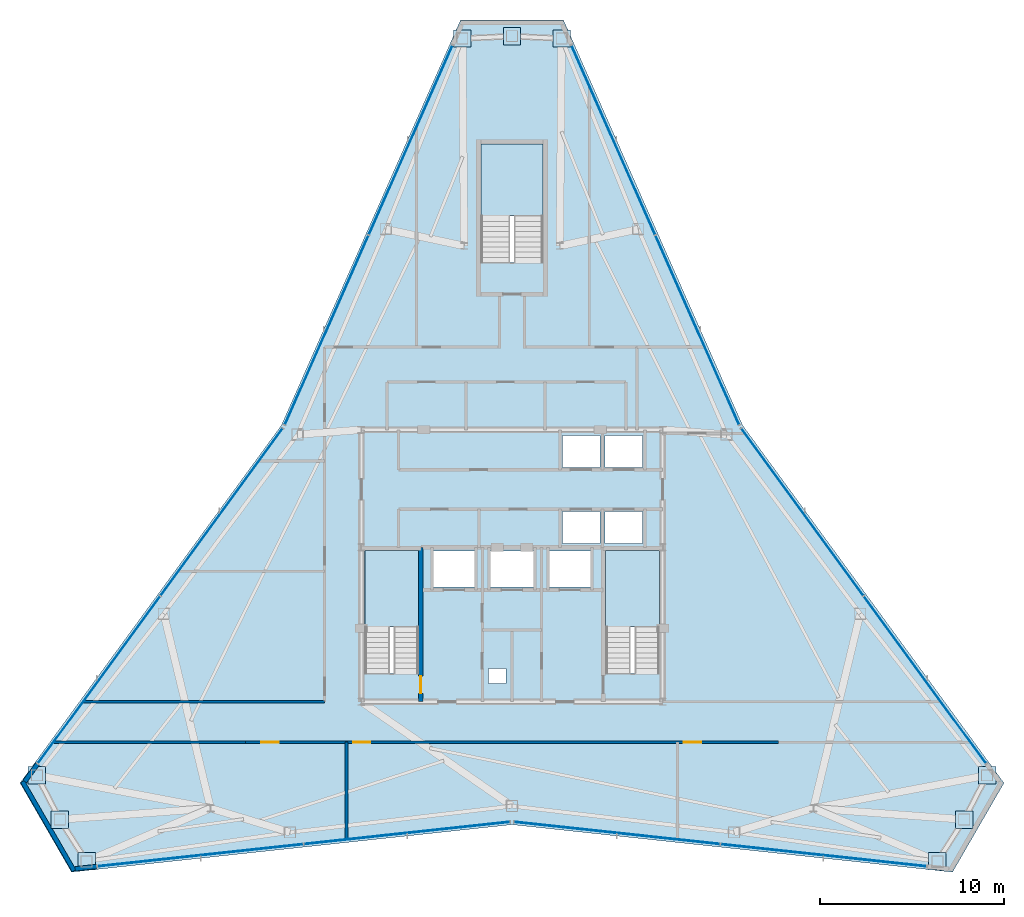
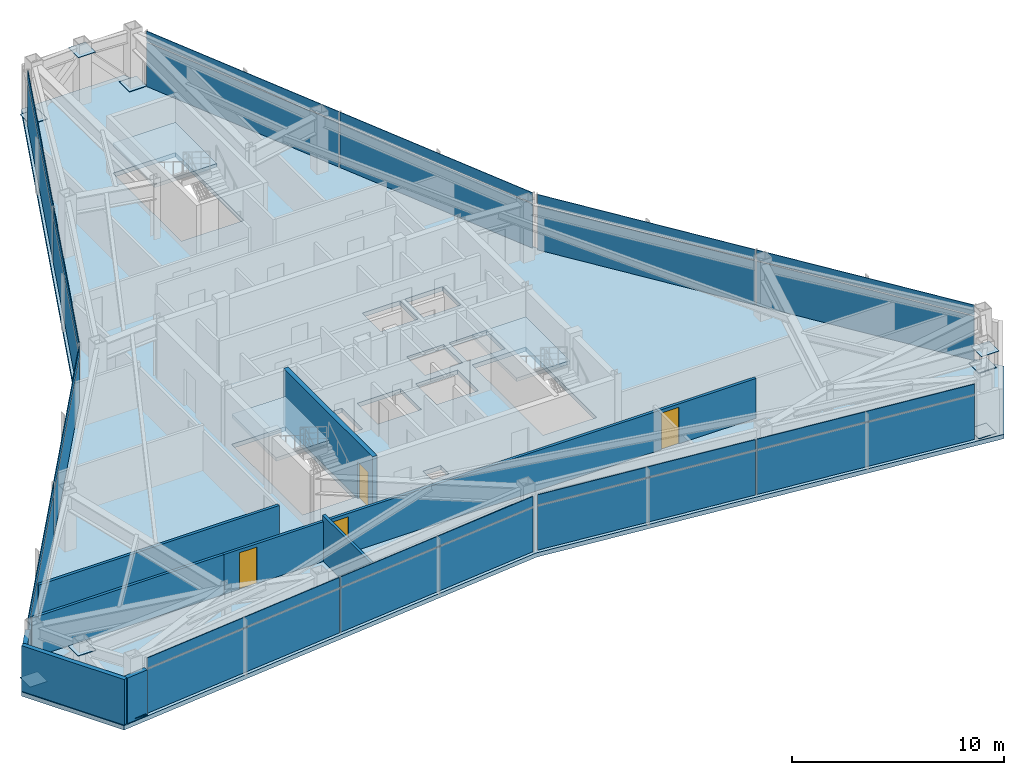
# One storey, part 8 of 12: 33 plates, 8 walls, 4 doors, 4 slabs, 4 openings, 9 elements without a shape of their own.
"""IFC4 building model written with IfcOpenShell, lengths in metres."""

from ifc_helpers import new_model, si_unit, direction, frame, frame_2d, origin, origin_2d, place, context, subcontext, project, spatial, polyline, rectangle, outline, extrude, source, transform, mapped, material, layer, layer_set, type_object, type_shapes, element, fill, aggregate, save


model = new_model("IFC4")

# Units and contexts
model_context = context("Model", 3, precision=1e-05, world=origin(), true_north=direction((0.0, 1.0)))
body_context = subcontext(model_context, "Body", "Model", "MODEL_VIEW")
ifc_project = project(units=[si_unit("LENGTHUNIT", "METRE"), si_unit("AREAUNIT", "SQUARE_METRE"), si_unit("VOLUMEUNIT", "CUBIC_METRE"), si_unit("PLANEANGLEUNIT", "RADIAN"), si_unit("MASSUNIT", "GRAM", prefix="KILO")], contexts=[model_context])

# Site, building, storey
site_placement = place(None, origin())
site = spatial("IfcSite", under=ifc_project, at=site_placement, CompositionType="ELEMENT")
building_placement = place(site_placement, origin())
building = spatial("IfcBuilding", under=site, at=building_placement, Name="Varakhsha Concourse Tower", CompositionType="ELEMENT")
storey_placement = place(building_placement, frame((0.0, 0.0, 269.0)))
storey = spatial("IfcBuildingStorey", under=building, at=storey_placement, Name="L76", CompositionType="ELEMENT", Elevation=269.0)

# Slab
ifc_material_1 = material(Name="Concrete fc 45 MPa", Category="concrete")
ifc_layer_1 = layer(ifc_material_1, 0.25, Name="SL-FLR-250")
ifc_layer_set_1 = layer_set([ifc_layer_1], Name="Concrete fc 45 MPa")
slab_type_1 = type_object("IfcSlabType", Name="SL-FLR-250", PredefinedType="FLOOR", material=ifc_layer_set_1)
slab_1_placement = place(storey_placement, frame((0.0, 0.0, -0.25)))
element("IfcSlab", 1, at=slab_1_placement, inside=storey, type_object=slab_type_1, Name="L76 Composite Structural Slab", PredefinedType="FLOOR", context=body_context, shape_type="SweptSolid", body=[
    extrude(outline(polyline([(42.800048828125, 53.4970703125), (37.199951171875, 53.4970703125), (27.45263671875, 31.444091796875), (13.22802734375, 11.976318359375), (16.028076171875, 7.126708984375), (40.0, 9.711669921875), (63.971923828125, 7.126708984375), (66.77197265625, 11.976318359375), (52.54736328125, 31.444091796875), (42.800048828125, 53.4970703125)]), holes=[polyline([(34.919921875, 17.93994140625), (34.919921875, 24.6298828125), (32.0, 24.6298828125), (32.0, 17.93994140625), (34.919921875, 17.93994140625)]), polyline([(48.02001953125, 17.93994140625), (48.02001953125, 24.6298828125), (45.10009765625, 24.6298828125), (45.10009765625, 17.93994140625), (48.02001953125, 17.93994140625)]), polyline([(41.699951171875, 40.300048828125), (41.699951171875, 46.75), (38.300048828125, 46.75), (38.300048828125, 40.300048828125), (41.699951171875, 40.300048828125)]), polyline([(42.739990234375, 29.159912109375), (44.780029296875, 29.159912109375), (44.780029296875, 30.89990234375), (42.739990234375, 30.89990234375), (42.739990234375, 29.159912109375)]), polyline([(45.06005859375, 29.159912109375), (47.10009765625, 29.159912109375), (47.10009765625, 30.89990234375), (45.06005859375, 30.89990234375), (45.06005859375, 29.159912109375)]), polyline([(42.739990234375, 25.0), (44.780029296875, 25.0), (44.780029296875, 26.739990234375), (42.739990234375, 26.739990234375), (42.739990234375, 25.0)]), polyline([(45.06005859375, 25.0), (47.10009765625, 25.0), (47.10009765625, 26.739990234375), (45.06005859375, 26.739990234375), (45.06005859375, 25.0)]), polyline([(35.7099609375, 22.639892578125), (37.989990234375, 22.639892578125), (37.989990234375, 24.60009765625), (35.7099609375, 24.60009765625), (35.7099609375, 22.639892578125)]), polyline([(42.010009765625, 22.639892578125), (44.2900390625, 22.639892578125), (44.2900390625, 24.60009765625), (42.010009765625, 24.60009765625), (42.010009765625, 22.639892578125)]), polyline([(38.81005859375, 22.639892578125), (41.18994140625, 22.639892578125), (41.18994140625, 24.60009765625), (38.81005859375, 24.60009765625), (38.81005859375, 22.639892578125)]), polyline([(38.719970703125, 17.39990234375), (39.679931640625, 17.39990234375), (39.679931640625, 18.199951171875), (38.719970703125, 18.199951171875), (38.719970703125, 17.39990234375)])]), origin(), (0.0, 0.0, 1.0), 0.25),
])

# Stair, slab
stair_type_1 = type_object("IfcStairType", Name="ST-DOGLEG-1360", PredefinedType="HALF_TURN_STAIR", material=ifc_material_1)
stair_1_placement = place(storey_placement, origin())
stair_1 = element("IfcStair", 2, at=stair_1_placement, inside=storey, type_object=stair_type_1, Name="L76 Protected Exit Stair ST1", PredefinedType="HALF_TURN_STAIR")
ifc_layer_2 = layer(ifc_material_1, 0.199951171875, Name="SL-LAND-200")
ifc_layer_set_2 = layer_set([ifc_layer_2], Name="Concrete fc 45 MPa")
slab_type_2 = type_object("IfcSlabType", Name="SL-LAND-200", PredefinedType="LANDING", material=ifc_layer_set_2)
slab_2_placement = place(storey_placement, frame((0.0, 0.0, 1.550048828125)))
slab_2 = element("IfcSlab", 3, at=slab_2_placement, type_object=slab_type_2, Name="ST1 landing 1", PredefinedType="LANDING", context=body_context, shape_type="SweptSolid", body=[
    extrude(outline(polyline([(34.919921875, 20.4599609375), (34.919921875, 24.6298828125), (32.0, 24.6298828125), (32.0, 20.4599609375), (34.919921875, 20.4599609375)])), origin(), (0.0, 0.0, 1.0), 0.199951171875),
])
aggregate(stair_1, [slab_2])

stair_2_placement = place(storey_placement, origin())
stair_2 = element("IfcStair", 4, at=stair_2_placement, inside=storey, type_object=stair_type_1, Name="L76 Protected Exit Stair ST2", PredefinedType="HALF_TURN_STAIR")
slab_3_placement = place(storey_placement, frame((0.0, 0.0, 1.550048828125)))
slab_3 = element("IfcSlab", 5, at=slab_3_placement, type_object=slab_type_2, Name="ST2 landing 1", PredefinedType="LANDING", context=body_context, shape_type="SweptSolid", body=[
    extrude(outline(polyline([(48.02001953125, 20.4599609375), (48.02001953125, 24.6298828125), (45.10009765625, 24.6298828125), (45.10009765625, 20.4599609375), (48.02001953125, 20.4599609375)])), origin(), (0.0, 0.0, 1.0), 0.199951171875),
])
aggregate(stair_2, [slab_3])

stair_type_2 = type_object("IfcStairType", Name="ST-DOGLEG-1600", PredefinedType="HALF_TURN_STAIR", material=ifc_material_1)
stair_3_placement = place(storey_placement, origin())
stair_3 = element("IfcStair", 6, at=stair_3_placement, inside=storey, type_object=stair_type_2, Name="L76 Protected Exit Stair ST5", PredefinedType="HALF_TURN_STAIR")
slab_4_placement = place(storey_placement, frame((0.0, 0.0, 1.550048828125)))
slab_4 = element("IfcSlab", 7, at=slab_4_placement, type_object=slab_type_2, Name="ST5 landing 1", PredefinedType="LANDING", context=body_context, shape_type="SweptSolid", body=[
    extrude(outline(polyline([(41.699951171875, 42.820068359375), (41.699951171875, 46.75), (38.300048828125, 46.75), (38.300048828125, 42.820068359375), (41.699951171875, 42.820068359375)])), origin(), (0.0, 0.0, 1.0), 0.199951171875),
])
aggregate(stair_3, [slab_4])

# Plates
ifc_material_2 = material(Name="Structural Steel ASTM A572 Grade 50", Category="steel")
ifc_layer_3 = layer(ifc_material_2, 0.030029296875, Name="PL-ENDCAP-950")
ifc_layer_set_3 = layer_set([ifc_layer_3], Name="Structural Steel ASTM A572 Grade 50")
plate_type_1 = type_object("IfcPlateType", Name="PL-ENDCAP-950", PredefinedType="USERDEFINED", material=ifc_layer_set_3)
shared_shape_1 = source(origin(), body_context, "Body", "SweptSolid", [
    extrude(rectangle(XDim=0.949951171875, YDim=0.949951171875, at=origin_2d()), origin(), (0.0, 0.0, 1.0), 0.030029296875),
])
type_shapes(plate_type_1, [shared_shape_1])
for number, where, z_axis, x_axis, name in (
    (8, (42.70361328125, 52.489501953125, 0.10498046875), (0.0, 0.0, 1.0), (1.0, 0.0, 0.0), "Hollow Section End Cap GP-NODE-L76-0808"),
    (9, (40.0, 52.616943359375, 2.93505859375), (0.0, 0.0, 1.0), (1.0, 0.0, 0.0), "Hollow Section End Cap GP-NODE-L76-0809"),
    (10, (37.29638671875, 52.489501953125, 0.10498046875), (0.0, 0.0, 1.0), (1.0, 0.0, 0.0), "Hollow Section End Cap GP-NODE-L76-0810"),
    (11, (14.148681640625, 12.396728515625, 0.10498046875), (0.0, 0.0, 1.0), (1.0, 0.0, 0.0), "Hollow Section End Cap GP-NODE-L76-0811"),
    (12, (15.39013671875, 9.991455078125, 2.93505859375), (0.0, 0.0, 1.0), (1.0, 0.0, 0.0), "Hollow Section End Cap GP-NODE-L76-0812"),
    (13, (16.852294921875, 7.713623046875, 0.10498046875), (0.0, 0.0, 1.0), (1.0, 0.0, 0.0), "Hollow Section End Cap GP-NODE-L76-0813"),
    (14, (63.147705078125, 7.713623046875, 0.10498046875), (0.0, 0.0, 1.0), (1.0, 0.0, 0.0), "Hollow Section End Cap GP-NODE-L76-0814"),
    (15, (64.60986328125, 9.991455078125, 2.93505859375), (0.0, 0.0, 1.0), (1.0, 0.0, 0.0), "Hollow Section End Cap GP-NODE-L76-0815"),
    (16, (65.851318359375, 12.396728515625, 0.10498046875), (0.0, 0.0, 1.0), (1.0, 0.0, 0.0), "Hollow Section End Cap GP-NODE-L76-0816"),
):
    element("IfcPlate", number, at=place(storey_placement, frame(where, z_axis=z_axis, x_axis=x_axis)), inside=storey, type_object=plate_type_1, Name=name, ObjectType="END PLATE", PredefinedType="USERDEFINED", context=body_context, shape_type="MappedRepresentation", body=[
        mapped(shared_shape_1, transform((0.0, 0.0, 0.0), scale=1.0)),
    ])

# Curtain wall, plate
ifc_material_3 = material(Name="Anodised Bronze Architectural Aluminium AA 6063-T6", Category="aluminium")
ifc_layer_4 = layer(ifc_material_3, 0.199951171875, Name="CW-SYS-05")
ifc_layer_set_4 = layer_set([ifc_layer_4], Name="Anodised Bronze Architectural Aluminium AA 6063-T6")
curtain_wall_type = type_object("IfcCurtainWallType", Name="CW-SYS-05", PredefinedType="NOTDEFINED", material=ifc_layer_set_4)
curtain_wall_1_placement = place(storey_placement, origin())
curtain_wall_1 = element("IfcCurtainWall", 17, at=curtain_wall_1_placement, inside=storey, type_object=curtain_wall_type, Name="L76 Crystal Curtain Wall F2", PredefinedType="NOTDEFINED")
ifc_material_4 = material(Name="Low-E Triple Insulating Glass IGU 44 mm", Category="glass")
ifc_layer_5 = layer(ifc_material_4, 0.0439453125, Name="CWP-IGU-44")
ifc_layer_set_5 = layer_set([ifc_layer_5], Name="Low-E Triple Insulating Glass IGU 44 mm")
plate_type_2 = type_object("IfcPlateType", Name="CWP-IGU-44", PredefinedType="CURTAIN_PANEL", material=ifc_layer_set_5)
shared_shape_2 = source(origin(), body_context, "Body", "SweptSolid", [
    extrude(rectangle(XDim=11.236572265625, YDim=0.0439453125, at=origin_2d()), origin(), (0.0, 0.0, 1.0), 2.535888671875),
])
plate_1_placement = place(storey_placement, frame((29.91650390625, 36.622802734375, 0.0322265625), z_axis=(0.0, 0.0, 1.0), x_axis=(0.404273357549, 0.914638208461, 0.0)))
plate_1 = element("IfcPlate", 18, at=plate_1_placement, type_object=plate_type_2, Name="CW-L76-F2 Panel 00-00", PredefinedType="CURTAIN_PANEL", context=body_context, shape_type="MappedRepresentation", body=[
    mapped(shared_shape_2, transform((0.0, 0.0, 0.0), scale=1.0)),
])

curtain_wall_2_placement = place(storey_placement, origin())
curtain_wall_2 = element("IfcCurtainWall", 19, at=curtain_wall_2_placement, inside=storey, type_object=curtain_wall_type, Name="L76 Crystal Curtain Wall F9", PredefinedType="NOTDEFINED")
plate_2_placement = place(storey_placement, frame((45.512939453125, 46.96337890625, 0.0322265625), z_axis=(0.0, 0.0, 1.0), x_axis=(0.404273357549, -0.914638208461, 0.0)))
plate_2 = element("IfcPlate", 20, at=plate_2_placement, type_object=plate_type_2, Name="CW-L76-F9 Panel 00-00", PredefinedType="CURTAIN_PANEL", context=body_context, shape_type="MappedRepresentation", body=[
    mapped(shared_shape_2, transform((0.0, 0.0, 0.0), scale=1.0)),
])

# Plate
ifc_material_5 = material(Name="Insulated Anodised Bronze Aluminium Spandrel 36 mm", Category="aluminium")
ifc_layer_6 = layer(ifc_material_5, 0.035888671875, Name="CWP-SPN-36")
ifc_layer_set_6 = layer_set([ifc_layer_6], Name="Insulated Anodised Bronze Aluminium Spandrel 36 mm")
plate_type_3 = type_object("IfcPlateType", Name="CWP-SPN-36", PredefinedType="USERDEFINED", material=ifc_layer_set_6)
shared_shape_3 = source(origin(), body_context, "Body", "SweptSolid", [
    extrude(rectangle(XDim=11.236572265625, YDim=0.035888671875, at=origin_2d()), origin(), (0.0, 0.0, 1.0), 0.5859375),
])
plate_3_placement = place(storey_placement, frame((29.91650390625, 36.622802734375, 2.632080078125), z_axis=(0.0, 0.0, 1.0), x_axis=(0.404273357549, 0.914638208461, 0.0)))
plate_3 = element("IfcPlate", 21, at=plate_3_placement, type_object=plate_type_3, Name="CW-L76-F2 Panel 00-01", ObjectType="SPANDREL", PredefinedType="USERDEFINED", context=body_context, shape_type="MappedRepresentation", body=[
    mapped(shared_shape_3, transform((0.0, 0.0, 0.0), scale=1.0)),
])

plate_4_placement = place(storey_placement, frame((45.512939453125, 46.96337890625, 2.632080078125), z_axis=(0.0, 0.0, 1.0), x_axis=(0.404273357549, -0.914638208461, 0.0)))
plate_4 = element("IfcPlate", 22, at=plate_4_placement, type_object=plate_type_3, Name="CW-L76-F9 Panel 00-01", ObjectType="SPANDREL", PredefinedType="USERDEFINED", context=body_context, shape_type="MappedRepresentation", body=[
    mapped(shared_shape_3, transform((0.0, 0.0, 0.0), scale=1.0)),
])

shared_shape_4 = source(origin(), body_context, "Body", "SweptSolid", [
    extrude(rectangle(XDim=11.236328125, YDim=0.0439453125, at=origin_2d()), origin(), (0.0, 0.0, 1.0), 2.535888671875),
])
type_shapes(plate_type_2, [shared_shape_2, shared_shape_4])
plate_5_placement = place(storey_placement, frame((34.487060546875, 46.96337890625, 0.0322265625), z_axis=(0.0, 0.0, 1.0), x_axis=(0.404273357549, 0.914638208461, 0.0)))
plate_5 = element("IfcPlate", 23, at=plate_5_placement, type_object=plate_type_2, Name="CW-L76-F2 Panel 01-00", PredefinedType="CURTAIN_PANEL", context=body_context, shape_type="MappedRepresentation", body=[
    mapped(shared_shape_4, transform((0.0, 0.0, 0.0), scale=1.0)),
])

# Curtain wall, plates
curtain_wall_3_placement = place(storey_placement, origin())
curtain_wall_3 = element("IfcCurtainWall", 24, at=curtain_wall_3_placement, inside=storey, type_object=curtain_wall_type, Name="L76 Crystal Curtain Wall F3", PredefinedType="NOTDEFINED")
plate_6_placement = place(storey_placement, frame((17.530029296875, 17.5927734375, 0.0322265625), z_axis=(0.0, 0.0, 1.0), x_axis=(0.589960426558, 0.807432161296, 0.0)))
plate_6 = element("IfcPlate", 25, at=plate_6_placement, type_object=plate_type_2, Name="CW-L76-F3 Panel 00-00", PredefinedType="CURTAIN_PANEL", context=body_context, shape_type="MappedRepresentation", body=[
    mapped(shared_shape_4, transform((0.0, 0.0, 0.0), scale=1.0)),
])
plate_7_placement = place(storey_placement, frame((24.19970703125, 26.720947265625, 0.0322265625), z_axis=(0.0, 0.0, 1.0), x_axis=(0.589960426558, 0.807432161296, 0.0)))
plate_7 = element("IfcPlate", 26, at=plate_7_placement, type_object=plate_type_2, Name="CW-L76-F3 Panel 01-00", PredefinedType="CURTAIN_PANEL", context=body_context, shape_type="MappedRepresentation", body=[
    mapped(shared_shape_4, transform((0.0, 0.0, 0.0), scale=1.0)),
])

curtain_wall_4_placement = place(storey_placement, origin())
curtain_wall_4 = element("IfcCurtainWall", 27, at=curtain_wall_4_placement, inside=storey, type_object=curtain_wall_type, Name="L76 Crystal Curtain Wall F5", PredefinedType="NOTDEFINED")
plate_8_placement = place(storey_placement, frame((34.283203125, 9.256103515625, 0.0322265625), z_axis=(0.0, 0.0, 1.0), x_axis=(-0.994236415458, -0.10720984179, 0.0)))
plate_8 = element("IfcPlate", 28, at=plate_8_placement, type_object=plate_type_2, Name="CW-L76-F5 Panel 00-00", PredefinedType="CURTAIN_PANEL", context=body_context, shape_type="MappedRepresentation", body=[
    mapped(shared_shape_4, transform((0.0, 0.0, 0.0), scale=1.0)),
])
plate_9_placement = place(storey_placement, frame((23.04296875, 8.0439453125, 0.0322265625), z_axis=(0.0, 0.0, 1.0), x_axis=(-0.994236415458, -0.10720984179, 0.0)))
plate_9 = element("IfcPlate", 29, at=plate_9_placement, type_object=plate_type_2, Name="CW-L76-F5 Panel 01-00", PredefinedType="CURTAIN_PANEL", context=body_context, shape_type="MappedRepresentation", body=[
    mapped(shared_shape_4, transform((0.0, 0.0, 0.0), scale=1.0)),
])

curtain_wall_5_placement = place(storey_placement, origin())
curtain_wall_5 = element("IfcCurtainWall", 30, at=curtain_wall_5_placement, inside=storey, type_object=curtain_wall_type, Name="L76 Crystal Curtain Wall F6", PredefinedType="NOTDEFINED")
plate_10_placement = place(storey_placement, frame((56.95703125, 8.0439453125, 0.0322265625), z_axis=(0.0, 0.0, 1.0), x_axis=(-0.994236415458, 0.10720984179, 0.0)))
plate_10 = element("IfcPlate", 31, at=plate_10_placement, type_object=plate_type_2, Name="CW-L76-F6 Panel 00-00", PredefinedType="CURTAIN_PANEL", context=body_context, shape_type="MappedRepresentation", body=[
    mapped(shared_shape_4, transform((0.0, 0.0, 0.0), scale=1.0)),
])
plate_11_placement = place(storey_placement, frame((45.716796875, 9.256103515625, 0.0322265625), z_axis=(0.0, 0.0, 1.0), x_axis=(-0.994236415458, 0.10720984179, 0.0)))
plate_11 = element("IfcPlate", 32, at=plate_11_placement, type_object=plate_type_2, Name="CW-L76-F6 Panel 01-00", PredefinedType="CURTAIN_PANEL", context=body_context, shape_type="MappedRepresentation", body=[
    mapped(shared_shape_4, transform((0.0, 0.0, 0.0), scale=1.0)),
])

curtain_wall_6_placement = place(storey_placement, origin())
curtain_wall_6 = element("IfcCurtainWall", 33, at=curtain_wall_6_placement, inside=storey, type_object=curtain_wall_type, Name="L76 Crystal Curtain Wall F8", PredefinedType="NOTDEFINED")
plate_12_placement = place(storey_placement, frame((55.80029296875, 26.720947265625, 0.0322265625), z_axis=(0.0, 0.0, 1.0), x_axis=(0.589960426558, -0.807432161296, 0.0)))
plate_12 = element("IfcPlate", 34, at=plate_12_placement, type_object=plate_type_2, Name="CW-L76-F8 Panel 00-00", PredefinedType="CURTAIN_PANEL", context=body_context, shape_type="MappedRepresentation", body=[
    mapped(shared_shape_4, transform((0.0, 0.0, 0.0), scale=1.0)),
])
plate_13_placement = place(storey_placement, frame((62.469970703125, 17.5927734375, 0.0322265625), z_axis=(0.0, 0.0, 1.0), x_axis=(0.589960426558, -0.807432161296, 0.0)))
plate_13 = element("IfcPlate", 35, at=plate_13_placement, type_object=plate_type_2, Name="CW-L76-F8 Panel 01-00", PredefinedType="CURTAIN_PANEL", context=body_context, shape_type="MappedRepresentation", body=[
    mapped(shared_shape_4, transform((0.0, 0.0, 0.0), scale=1.0)),
])

# Plate
plate_14_placement = place(storey_placement, frame((50.08349609375, 36.622802734375, 0.0322265625), z_axis=(0.0, 0.0, 1.0), x_axis=(0.404273357549, -0.914638208461, 0.0)))
plate_14 = element("IfcPlate", 36, at=plate_14_placement, type_object=plate_type_2, Name="CW-L76-F9 Panel 01-00", PredefinedType="CURTAIN_PANEL", context=body_context, shape_type="MappedRepresentation", body=[
    mapped(shared_shape_4, transform((0.0, 0.0, 0.0), scale=1.0)),
])

shared_shape_5 = source(origin(), body_context, "Body", "SweptSolid", [
    extrude(rectangle(XDim=11.236328125, YDim=0.035888671875, at=origin_2d()), origin(), (0.0, 0.0, 1.0), 0.5859375),
])
type_shapes(plate_type_3, [shared_shape_3, shared_shape_5])
plate_15_placement = place(storey_placement, frame((34.487060546875, 46.96337890625, 2.632080078125), z_axis=(0.0, 0.0, 1.0), x_axis=(0.404273357549, 0.914638208461, 0.0)))
plate_15 = element("IfcPlate", 37, at=plate_15_placement, type_object=plate_type_3, Name="CW-L76-F2 Panel 01-01", ObjectType="SPANDREL", PredefinedType="USERDEFINED", context=body_context, shape_type="MappedRepresentation", body=[
    mapped(shared_shape_5, transform((0.0, 0.0, 0.0), scale=1.0)),
])

aggregate(curtain_wall_1, [plate_1, plate_3, plate_5, plate_15])

plate_16_placement = place(storey_placement, frame((17.530029296875, 17.5927734375, 2.632080078125), z_axis=(0.0, 0.0, 1.0), x_axis=(0.589960426558, 0.807432161296, 0.0)))
plate_16 = element("IfcPlate", 38, at=plate_16_placement, type_object=plate_type_3, Name="CW-L76-F3 Panel 00-01", ObjectType="SPANDREL", PredefinedType="USERDEFINED", context=body_context, shape_type="MappedRepresentation", body=[
    mapped(shared_shape_5, transform((0.0, 0.0, 0.0), scale=1.0)),
])

plate_17_placement = place(storey_placement, frame((24.19970703125, 26.720947265625, 2.632080078125), z_axis=(0.0, 0.0, 1.0), x_axis=(0.589960426558, 0.807432161296, 0.0)))
plate_17 = element("IfcPlate", 39, at=plate_17_placement, type_object=plate_type_3, Name="CW-L76-F3 Panel 01-01", ObjectType="SPANDREL", PredefinedType="USERDEFINED", context=body_context, shape_type="MappedRepresentation", body=[
    mapped(shared_shape_5, transform((0.0, 0.0, 0.0), scale=1.0)),
])

aggregate(curtain_wall_3, [plate_6, plate_16, plate_7, plate_17])

plate_18_placement = place(storey_placement, frame((34.283203125, 9.256103515625, 2.632080078125), z_axis=(0.0, 0.0, 1.0), x_axis=(-0.994236415458, -0.10720984179, 0.0)))
plate_18 = element("IfcPlate", 40, at=plate_18_placement, type_object=plate_type_3, Name="CW-L76-F5 Panel 00-01", ObjectType="SPANDREL", PredefinedType="USERDEFINED", context=body_context, shape_type="MappedRepresentation", body=[
    mapped(shared_shape_5, transform((0.0, 0.0, 0.0), scale=1.0)),
])

plate_19_placement = place(storey_placement, frame((23.04296875, 8.0439453125, 2.632080078125), z_axis=(0.0, 0.0, 1.0), x_axis=(-0.994236415458, -0.10720984179, 0.0)))
plate_19 = element("IfcPlate", 41, at=plate_19_placement, type_object=plate_type_3, Name="CW-L76-F5 Panel 01-01", ObjectType="SPANDREL", PredefinedType="USERDEFINED", context=body_context, shape_type="MappedRepresentation", body=[
    mapped(shared_shape_5, transform((0.0, 0.0, 0.0), scale=1.0)),
])

aggregate(curtain_wall_4, [plate_8, plate_18, plate_9, plate_19])

plate_20_placement = place(storey_placement, frame((56.95703125, 8.0439453125, 2.632080078125), z_axis=(0.0, 0.0, 1.0), x_axis=(-0.994236415458, 0.10720984179, 0.0)))
plate_20 = element("IfcPlate", 42, at=plate_20_placement, type_object=plate_type_3, Name="CW-L76-F6 Panel 00-01", ObjectType="SPANDREL", PredefinedType="USERDEFINED", context=body_context, shape_type="MappedRepresentation", body=[
    mapped(shared_shape_5, transform((0.0, 0.0, 0.0), scale=1.0)),
])

plate_21_placement = place(storey_placement, frame((45.716796875, 9.256103515625, 2.632080078125), z_axis=(0.0, 0.0, 1.0), x_axis=(-0.994236415458, 0.10720984179, 0.0)))
plate_21 = element("IfcPlate", 43, at=plate_21_placement, type_object=plate_type_3, Name="CW-L76-F6 Panel 01-01", ObjectType="SPANDREL", PredefinedType="USERDEFINED", context=body_context, shape_type="MappedRepresentation", body=[
    mapped(shared_shape_5, transform((0.0, 0.0, 0.0), scale=1.0)),
])

aggregate(curtain_wall_5, [plate_10, plate_20, plate_11, plate_21])

plate_22_placement = place(storey_placement, frame((55.80029296875, 26.720947265625, 2.632080078125), z_axis=(0.0, 0.0, 1.0), x_axis=(0.589960426558, -0.807432161296, 0.0)))
plate_22 = element("IfcPlate", 44, at=plate_22_placement, type_object=plate_type_3, Name="CW-L76-F8 Panel 00-01", ObjectType="SPANDREL", PredefinedType="USERDEFINED", context=body_context, shape_type="MappedRepresentation", body=[
    mapped(shared_shape_5, transform((0.0, 0.0, 0.0), scale=1.0)),
])

plate_23_placement = place(storey_placement, frame((62.469970703125, 17.5927734375, 2.632080078125), z_axis=(0.0, 0.0, 1.0), x_axis=(0.589960426558, -0.807432161296, 0.0)))
plate_23 = element("IfcPlate", 45, at=plate_23_placement, type_object=plate_type_3, Name="CW-L76-F8 Panel 01-01", ObjectType="SPANDREL", PredefinedType="USERDEFINED", context=body_context, shape_type="MappedRepresentation", body=[
    mapped(shared_shape_5, transform((0.0, 0.0, 0.0), scale=1.0)),
])

aggregate(curtain_wall_6, [plate_12, plate_22, plate_13, plate_23])

plate_24_placement = place(storey_placement, frame((50.08349609375, 36.622802734375, 2.632080078125), z_axis=(0.0, 0.0, 1.0), x_axis=(0.404273357549, -0.914638208461, 0.0)))
plate_24 = element("IfcPlate", 46, at=plate_24_placement, type_object=plate_type_3, Name="CW-L76-F9 Panel 01-01", ObjectType="SPANDREL", PredefinedType="USERDEFINED", context=body_context, shape_type="MappedRepresentation", body=[
    mapped(shared_shape_5, transform((0.0, 0.0, 0.0), scale=1.0)),
])

aggregate(curtain_wall_2, [plate_2, plate_4, plate_14, plate_24])

# Walls
ifc_layer_7 = layer(ifc_material_1, 0.239990234375, Name="WL-EXT-CRN-240")
ifc_layer_set_7 = layer_set([ifc_layer_7], Name="Concrete fc 45 MPa")
wall_type_1 = type_object("IfcWallType", Name="WL-EXT-CRN-240", PredefinedType="SHEAR", material=ifc_layer_set_7)
wall_1_placement = place(storey_placement, frame((14.17578125, 13.002197265625, 0.0), z_axis=(0.0, 0.0, 1.0), x_axis=(-0.589948424207, -0.807440930827, 0.0)))
element("IfcWall", 47, at=wall_1_placement, inside=storey, type_object=wall_type_1, Name="L76 Wind-Corner Shoulder Wall F3", PredefinedType="SHEAR", context=body_context, shape_type="SweptSolid", body=[
    extrude(rectangle(XDim=1.16748046875, YDim=0.239990234375, at=frame_2d((0.583740234375, 0.0))), origin(), (0.0, 0.0, 1.0), 2.623046875),
])
wall_2_placement = place(storey_placement, frame((16.166748046875, 7.20654296875, 0.0), z_axis=(0.0, 0.0, 1.0), x_axis=(-0.49999793692, 0.866026594901, 0.0)))
element("IfcWall", 48, at=wall_2_placement, inside=storey, type_object=wall_type_1, Name="L76 Chamfer Wind-Corner Insulated Wall F4", PredefinedType="SHEAR", context=body_context, shape_type="SweptSolid", body=[
    extrude(rectangle(XDim=5.60009765625, YDim=0.239990234375, at=frame_2d((2.800048828125, 0.0))), origin(), (0.0, 0.0, 1.0), 2.623046875),
])
wall_3_placement = place(storey_placement, frame((16.229736328125, 7.309326171875, 0.0), z_axis=(0.0, 0.0, 1.0), x_axis=(0.994228168344, 0.107286295827, 0.0)))
element("IfcWall", 49, at=wall_3_placement, inside=storey, type_object=wall_type_1, Name="L76 Wind-Corner Shoulder Wall F5", PredefinedType="SHEAR", context=body_context, shape_type="SweptSolid", body=[
    extrude(rectangle(XDim=1.16748046875, YDim=0.239990234375, at=frame_2d((0.583740234375, 0.0))), origin(), (0.0, 0.0, 1.0), 2.623046875),
])
ifc_material_6 = material(Name="Fire-Rated Type X Gypsum Partition Assembly", Category="gypsum")
ifc_layer_8 = layer(ifc_material_6, 0.14990234375, Name="WL-PART-150")
ifc_layer_set_8 = layer_set([ifc_layer_8], Name="Fire-Rated Type X Gypsum Partition Assembly")
wall_type_2 = type_object("IfcWallType", Name="WL-PART-150", PredefinedType="PARTITIONING", material=ifc_layer_set_8)
wall_4_placement = place(storey_placement, frame((15.05712890625, 14.199951171875, 0.0), z_axis=(0.0, 0.0, 1.0), x_axis=(1.0, 0.0, 0.0)))
element("IfcWall", 50, at=wall_4_placement, inside=storey, type_object=wall_type_2, Name="L76 Wall CRW-SGAL-SW-L76", PredefinedType="PARTITIONING", context=body_context, shape_type="SweptSolid", body=[
    extrude(rectangle(XDim=10.44287109375, YDim=0.14990234375, at=frame_2d((5.221435546875, 0.0))), origin(), (0.0, 0.0, 1.0), 2.2919921875),
])
wall_5_placement = place(storey_placement, frame((16.66455078125, 16.39990234375, 0.0), z_axis=(0.0, 0.0, 1.0), x_axis=(1.0, 0.0, 0.0)))
element("IfcWall", 51, at=wall_5_placement, inside=storey, type_object=wall_type_2, Name="L76 Wall CRW-SGAL-NW-L76", PredefinedType="PARTITIONING", context=body_context, shape_type="SweptSolid", body=[
    extrude(rectangle(XDim=13.135498046875, YDim=0.14990234375, at=frame_2d((6.56787109375, 0.0))), origin(), (0.0, 0.0, 1.0), 2.2919921875),
])

# Wall, openings, doors
wall_6_placement = place(storey_placement, frame((25.5, 14.199951171875, 0.0), z_axis=(0.0, 0.0, 1.0), x_axis=(1.0, 0.0, 0.0)))
wall_6 = element("IfcWall", 52, at=wall_6_placement, inside=storey, type_object=wall_type_2, Name="L76 Wall CRW-S-DOOR-L76", PredefinedType="PARTITIONING", context=body_context, shape_type="SweptSolid", body=[
    extrude(rectangle(XDim=29.0, YDim=0.14990234375, at=frame_2d((14.5, 0.0))), origin(), (0.0, 0.0, 1.0), 2.2919921875),
])
opening_1_placement = place(wall_6_placement, frame((0.85009765625, 0.0, 0.0)))
opening_1 = element("IfcOpeningElement", 53, at=opening_1_placement, cuts=wall_6, Name="Opening DF-05", PredefinedType="OPENING", context=body_context, shape_type="SweptSolid", body=[
    extrude(rectangle(XDim=0.949951171875, YDim=2.10009765625, at=frame_2d((0.47509765625, 1.050048828125))), frame((0.0, 0.0849609375, 0.0), z_axis=(0.0, -1.0, 0.0), x_axis=(1.0, 0.0, 0.0)), (0.0, 0.0, 1.0), 0.169921875),
])
opening_2_placement = place(wall_6_placement, frame((5.85009765625, 0.0, 0.0)))
opening_2 = element("IfcOpeningElement", 54, at=opening_2_placement, cuts=wall_6, Name="Opening DF-05", PredefinedType="OPENING", context=body_context, shape_type="SweptSolid", body=[
    extrude(rectangle(XDim=0.949951171875, YDim=2.10009765625, at=frame_2d((0.47509765625, 1.050048828125))), frame((0.0, 0.0849609375, 0.0), z_axis=(0.0, -1.0, 0.0), x_axis=(1.0, 0.0, 0.0)), (0.0, 0.0, 1.0), 0.169921875),
])
opening_3_placement = place(wall_6_placement, frame((23.85009765625, 0.0, 0.0)))
opening_3 = element("IfcOpeningElement", 55, at=opening_3_placement, cuts=wall_6, Name="Opening DF-05", PredefinedType="OPENING", context=body_context, shape_type="SweptSolid", body=[
    extrude(rectangle(XDim=0.949951171875, YDim=2.10009765625, at=frame_2d((0.47509765625, 1.050048828125))), frame((0.0, 0.0849609375, 0.0), z_axis=(0.0, -1.0, 0.0), x_axis=(1.0, 0.0, 0.0)), (0.0, 0.0, 1.0), 0.169921875),
])
ifc_material_7 = material(Name="Hollow Galvanised Steel Fire Door Assembly", Category="steel")
door_type_1 = type_object("IfcDoorType", Name="DR-FD60-950", OperationType="NOTDEFINED", PredefinedType="DOOR", material=ifc_material_7)
door_1_placement = place(opening_1_placement, origin())
door_1 = element("IfcDoor", 56, at=door_1_placement, inside=storey, type_object=door_type_1, Name="L76 Deposition Conference Room L76-S1 Door", OperationType="SINGLE_SWING_LEFT", OverallHeight=2.10009765625, OverallWidth=0.949951171875, PredefinedType="DOOR", context=body_context, shape_type="SweptSolid", body=[
    extrude(rectangle(XDim=0.949951171875, YDim=2.10009765625, at=frame_2d((0.47509765625, 1.050048828125))), frame((0.0, 0.02490234375, 0.0), z_axis=(0.0, -1.0, 0.0), x_axis=(1.0, 0.0, 0.0)), (0.0, 0.0, 1.0), 0.050048828125),
])
fill(opening_1, door_1)
door_2_placement = place(opening_2_placement, origin())
door_2 = element("IfcDoor", 57, at=door_2_placement, inside=storey, type_object=door_type_1, Name="L76 Senior Partner Chamber L76-S2 Door", OperationType="SINGLE_SWING_RIGHT", OverallHeight=2.10009765625, OverallWidth=0.949951171875, PredefinedType="DOOR", context=body_context, shape_type="SweptSolid", body=[
    extrude(rectangle(XDim=0.949951171875, YDim=2.10009765625, at=frame_2d((0.47509765625, 1.050048828125))), frame((0.0, 0.02490234375, 0.0), z_axis=(0.0, -1.0, 0.0), x_axis=(1.0, 0.0, 0.0)), (0.0, 0.0, 1.0), 0.050048828125),
])
fill(opening_2, door_2)
door_3_placement = place(opening_3_placement, origin())
door_3 = element("IfcDoor", 58, at=door_3_placement, inside=storey, type_object=door_type_1, Name="L76 Senior Partner Chamber L76-S3 Door", OperationType="SINGLE_SWING_LEFT", OverallHeight=2.10009765625, OverallWidth=0.949951171875, PredefinedType="DOOR", context=body_context, shape_type="SweptSolid", body=[
    extrude(rectangle(XDim=0.949951171875, YDim=2.10009765625, at=frame_2d((0.47509765625, 1.050048828125))), frame((0.0, 0.02490234375, 0.0), z_axis=(0.0, -1.0, 0.0), x_axis=(1.0, 0.0, 0.0)), (0.0, 0.0, 1.0), 0.050048828125),
])
fill(opening_3, door_3)

# Wall
wall_7_placement = place(storey_placement, frame((31.0, 8.906982421875, 0.0), z_axis=(0.0, 0.0, 1.0), x_axis=(0.0, 1.0, 0.0)))
element("IfcWall", 59, at=wall_7_placement, inside=storey, type_object=wall_type_2, Name="L76 Wall ODIV-S1-L76", PredefinedType="PARTITIONING", context=body_context, shape_type="SweptSolid", body=[
    extrude(rectangle(XDim=5.29296875, YDim=0.14990234375, at=frame_2d((2.646484375, 0.0))), origin(), (0.0, 0.0, 1.0), 2.6279296875),
])

# Wall, opening, door
ifc_layer_9 = layer(ifc_material_1, 0.25, Name="WL-STAIR-250")
ifc_layer_set_9 = layer_set([ifc_layer_9], Name="Concrete fc 45 MPa")
wall_type_3 = type_object("IfcWallType", Name="WL-STAIR-250", PredefinedType="SHEAR", material=ifc_layer_set_9)
wall_8_placement = place(storey_placement, frame((35.044921875, 16.39990234375, 0.0), z_axis=(0.0, 0.0, 1.0), x_axis=(0.0, 1.0, 0.0)))
wall_8 = element("IfcWall", 60, at=wall_8_placement, inside=storey, type_object=wall_type_3, Name="L76 Wall SWALL-ST1-E-L76", PredefinedType="SHEAR", context=body_context, shape_type="SweptSolid", body=[
    extrude(rectangle(XDim=8.400146484375, YDim=0.25, at=frame_2d((4.2001953125, 0.0))), origin(), (0.0, 0.0, 1.0), 3.25),
])
opening_4_placement = place(wall_8_placement, frame((0.449951171875, 0.0, 0.0)))
opening_4 = element("IfcOpeningElement", 61, at=opening_4_placement, cuts=wall_8, Name="Opening DF-03", PredefinedType="OPENING", context=body_context, shape_type="SweptSolid", body=[
    extrude(rectangle(XDim=0.949951171875, YDim=2.10009765625, at=frame_2d((0.47509765625, 1.050048828125))), frame((0.0, 0.135009765625, 0.0), z_axis=(0.0, -1.0, 0.0), x_axis=(1.0, 0.0, 0.0)), (0.0, 0.0, 1.0), 0.27001953125),
])
door_type_2 = type_object("IfcDoorType", Name="DR-FD90-950", OperationType="NOTDEFINED", PredefinedType="DOOR", material=ifc_material_7)
door_4_placement = place(opening_4_placement, origin())
door_4 = element("IfcDoor", 62, at=door_4_placement, inside=storey, type_object=door_type_2, Name="L76 Stair ST1 Fire Door", OperationType="SINGLE_SWING_LEFT", OverallHeight=2.10009765625, OverallWidth=0.949951171875, PredefinedType="DOOR", context=body_context, shape_type="SweptSolid", body=[
    extrude(rectangle(XDim=0.949951171875, YDim=2.10009765625, at=frame_2d((0.47509765625, 1.050048828125))), frame((0.0, 0.02490234375, 0.0), z_axis=(0.0, -1.0, 0.0), x_axis=(1.0, 0.0, 0.0)), (0.0, 0.0, 1.0), 0.050048828125),
])
fill(opening_4, door_4)

save(model, "model.ifc")
